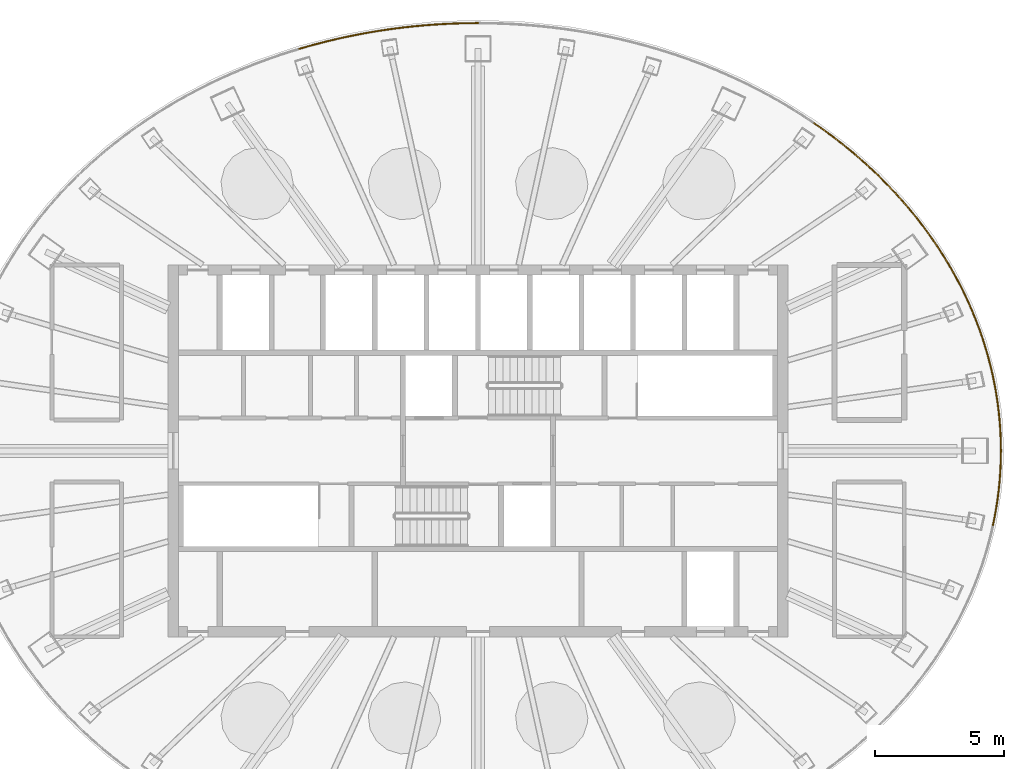
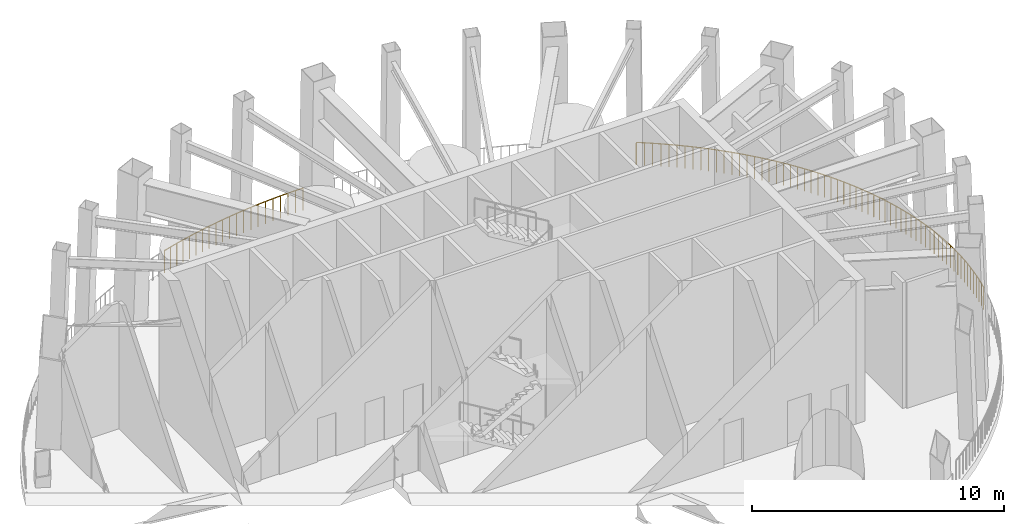
# One storey, part 10 of 12: 8 railings.
"""IFC4 building model written with IfcOpenShell, lengths in metres."""

from ifc_helpers import new_model, si_unit, direction, frame, origin, origin_2d, place, context, subcontext, project, spatial, circle, extrude, material, type_object, element, save


model = new_model("IFC4")

# Units and contexts
model_context = context("Model", 3, precision=1e-05, world=origin(), true_north=direction((0.0, 1.0)))
body_context = subcontext(model_context, "Body", "Model", "MODEL_VIEW")
ifc_project = project(units=[si_unit("LENGTHUNIT", "METRE"), si_unit("AREAUNIT", "SQUARE_METRE"), si_unit("VOLUMEUNIT", "CUBIC_METRE"), si_unit("PLANEANGLEUNIT", "RADIAN"), si_unit("MASSUNIT", "GRAM", prefix="KILO")], contexts=[model_context])

# Site, building, storey
site_placement = place(None, origin())
site = spatial("IfcSite", under=ifc_project, at=site_placement, CompositionType="ELEMENT")
building_placement = place(site_placement, origin())
building = spatial("IfcBuilding", under=site, at=building_placement, Name="Siaravel Broadcast Tower", CompositionType="ELEMENT")
storey_placement = place(building_placement, frame((0.0, 0.0, 265.199951171875)))
storey = spatial("IfcBuildingStorey", under=building, at=storey_placement, Name="L65", CompositionType="ELEMENT", Elevation=265.199951171875)

# Railings
ifc_material = material(Name="Steel S355", Category="steel")
railing_type = type_object("IfcRailingType", Name="Guard 1100", PredefinedType="GUARDRAIL", material=ifc_material)
railing_1_placement = place(storey_placement, frame((20.243408203125, 0.0, 0.0)))
element("IfcRailing", 1, at=railing_1_placement, inside=storey, type_object=railing_type, Name="L65 turbine slot guard 01", PredefinedType="GUARDRAIL", context=body_context, shape_type="SweptSolid", body=[
    extrude(circle(Radius=0.02392578125, at=origin_2d()), frame((0.0, 0.0, 1.076171875), z_axis=(-0.010134615, 0.999948643, 0.0), x_axis=(-0.999948643, -0.010134615, 0.0)), (0.0, 0.0, 1.0), 0.2890625),
    extrude(circle(Radius=0.02392578125, at=origin_2d()), frame((-0.0029296875, 0.2890625, 1.076171875), z_axis=(-0.032105166, 0.999484496, 0.0), x_axis=(-0.999484496, -0.032105166, 0.0)), (0.0, 0.0, 1.0), 0.2890625),
    extrude(circle(Radius=0.02392578125, at=origin_2d()), frame((-0.01220703125, 0.577880859375, 1.076171875), z_axis=(-0.053179082, 0.998584991, 0.0), x_axis=(-0.998584991, -0.053179082, 0.0)), (0.0, 0.0, 1.0), 0.289306640625),
    extrude(circle(Radius=0.02392578125, at=origin_2d()), frame((-0.027587890625, 0.86669921875, 1.076171875), z_axis=(-0.075083566, 0.997177245, 0.0), x_axis=(-0.997177245, -0.075083566, 0.0)), (0.0, 0.0, 1.0), 0.289306640625),
    extrude(circle(Radius=0.02392578125, at=origin_2d()), frame((-0.04931640625, 1.1552734375, 1.076171875), z_axis=(-0.095326613, 0.995446049, 0.0), x_axis=(-0.995446049, -0.095326613, 0.0)), (0.0, 0.0, 1.0), 0.289306640625),
    extrude(circle(Radius=0.02392578125, at=origin_2d()), frame((-0.076904296875, 1.443359375, 1.076171875), z_axis=(-0.117183639, 0.993110263, 0.0), x_axis=(-0.993110263, -0.117183639, 0.0)), (0.0, 0.0, 1.0), 0.28955078125),
    extrude(circle(Radius=0.02392578125, at=origin_2d()), frame((-0.11083984375, 1.73095703125, 1.076171875), z_axis=(-0.138004072, 0.990431662, 0.0), x_axis=(-0.990431662, -0.138004072, 0.0)), (0.0, 0.0, 1.0), 0.2900390625),
    extrude(circle(Radius=0.02392578125, at=origin_2d()), frame((-0.15087890625, 2.018310546875, 1.076171875), z_axis=(-0.159073665, 0.987266716, 0.0), x_axis=(-0.987266716, -0.159073665, 0.0)), (0.0, 0.0, 1.0), 0.2900390625),
    extrude(circle(Radius=0.02392578125, at=origin_2d()), frame((-0.197021484375, 2.3046875, 1.076171875), z_axis=(-0.178959374, 0.983856464, 0.0), x_axis=(-0.983856464, -0.178959374, 0.0)), (0.0, 0.0, 1.0), 0.29052734375),
    extrude(circle(Radius=0.02392578125, at=origin_2d()), frame((-0.2490234375, 2.590576171875, 1.076171875), z_axis=(-0.200634296, 0.979666208, 0.0), x_axis=(-0.979666208, -0.200634296, 0.0)), (0.0, 0.0, 1.0), 0.290771484375),
    extrude(circle(Radius=0.02099609375, at=origin_2d()), origin(), (0.0, 0.0, 1.0), 1.052001953125),
    extrude(circle(Radius=0.02099609375, at=origin_2d()), frame((-0.0029296875, 0.2890625, 0.0)), (0.0, 0.0, 1.0), 1.052001953125),
    extrude(circle(Radius=0.02099609375, at=origin_2d()), frame((-0.01220703125, 0.577880859375, 0.0)), (0.0, 0.0, 1.0), 1.052001953125),
    extrude(circle(Radius=0.02099609375, at=origin_2d()), frame((-0.027587890625, 0.86669921875, 0.0)), (0.0, 0.0, 1.0), 1.052001953125),
    extrude(circle(Radius=0.02099609375, at=origin_2d()), frame((-0.04931640625, 1.1552734375, 0.0)), (0.0, 0.0, 1.0), 1.052001953125),
    extrude(circle(Radius=0.02099609375, at=origin_2d()), frame((-0.076904296875, 1.443359375, 0.0)), (0.0, 0.0, 1.0), 1.052001953125),
    extrude(circle(Radius=0.02099609375, at=origin_2d()), frame((-0.11083984375, 1.73095703125, 0.0)), (0.0, 0.0, 1.0), 1.052001953125),
    extrude(circle(Radius=0.02099609375, at=origin_2d()), frame((-0.15087890625, 2.018310546875, 0.0)), (0.0, 0.0, 1.0), 1.052001953125),
    extrude(circle(Radius=0.02099609375, at=origin_2d()), frame((-0.197021484375, 2.3046875, 0.0)), (0.0, 0.0, 1.0), 1.052001953125),
    extrude(circle(Radius=0.02099609375, at=origin_2d()), frame((-0.2490234375, 2.590576171875, 0.0)), (0.0, 0.0, 1.0), 1.052001953125),
    extrude(circle(Radius=0.02099609375, at=origin_2d()), frame((-0.307373046875, 2.87548828125, 0.0)), (0.0, 0.0, 1.0), 1.052001953125),
])
railing_2_placement = place(storey_placement, frame((19.93603515625, 2.87548828125, 0.0)))
element("IfcRailing", 2, at=railing_2_placement, inside=storey, type_object=railing_type, Name="L65 turbine slot guard 02", PredefinedType="GUARDRAIL", context=body_context, shape_type="SweptSolid", body=[
    extrude(circle(Radius=0.02392578125, at=origin_2d()), frame((0.0, 0.0, 1.076171875), z_axis=(-0.221005948, 0.97527246, 0.0), x_axis=(-0.97527246, -0.221005948, 0.0)), (0.0, 0.0, 1.0), 0.291748046875),
    extrude(circle(Radius=0.02392578125, at=origin_2d()), frame((-0.064453125, 0.284423828125, 1.076171875), z_axis=(-0.241748252, 0.970339004, 0.0), x_axis=(-0.970339004, -0.241748252, 0.0)), (0.0, 0.0, 1.0), 0.291748046875),
    extrude(circle(Radius=0.02392578125, at=origin_2d()), frame((-0.135009765625, 0.567626953125, 1.076171875), z_axis=(-0.261561451, 0.965186825, 0.0), x_axis=(-0.965186825, -0.261561451, 0.0)), (0.0, 0.0, 1.0), 0.292236328125),
    extrude(circle(Radius=0.02392578125, at=origin_2d()), frame((-0.21142578125, 0.849609375, 1.076171875), z_axis=(-0.281760113, 0.959484882, 0.0), x_axis=(-0.959484882, -0.281760113, 0.0)), (0.0, 0.0, 1.0), 0.29296875),
    extrude(circle(Radius=0.02392578125, at=origin_2d()), frame((-0.2939453125, 1.130615234375, 1.076171875), z_axis=(-0.301211011, 0.953557511, 0.0), x_axis=(-0.953557511, -0.301211011, 0.0)), (0.0, 0.0, 1.0), 0.29345703125),
    extrude(circle(Radius=0.02392578125, at=origin_2d()), frame((-0.38232421875, 1.410400390625, 1.076171875), z_axis=(-0.320951026, 0.947095792, 0.0), x_axis=(-0.947095792, -0.320951026, 0.0)), (0.0, 0.0, 1.0), 0.29443359375),
    extrude(circle(Radius=0.02392578125, at=origin_2d()), frame((-0.476806640625, 1.689208984375, 1.076171875), z_axis=(-0.340478966, 0.940252133, 0.0), x_axis=(-0.940252133, -0.340478966, 0.0)), (0.0, 0.0, 1.0), 0.294677734375),
    extrude(circle(Radius=0.02392578125, at=origin_2d()), frame((-0.5771484375, 1.96630859375, 1.076171875), z_axis=(-0.359810351, 0.933025461, 0.0), x_axis=(-0.933025461, -0.359810351, 0.0)), (0.0, 0.0, 1.0), 0.295166015625),
    extrude(circle(Radius=0.02392578125, at=origin_2d()), frame((-0.683349609375, 2.24169921875, 1.076171875), z_axis=(-0.378343965, 0.925665082, 0.0), x_axis=(-0.925665082, -0.378343965, 0.0)), (0.0, 0.0, 1.0), 0.296142578125),
    extrude(circle(Radius=0.02392578125, at=origin_2d()), frame((-0.79541015625, 2.515869140625, 1.076171875), z_axis=(-0.397191994, 0.917735539, 0.0), x_axis=(-0.917735539, -0.397191994, 0.0)), (0.0, 0.0, 1.0), 0.296875),
    extrude(circle(Radius=0.02099609375, at=origin_2d()), origin(), (0.0, 0.0, 1.0), 1.052001953125),
    extrude(circle(Radius=0.02099609375, at=origin_2d()), frame((-0.064453125, 0.284423828125, 0.0)), (0.0, 0.0, 1.0), 1.052001953125),
    extrude(circle(Radius=0.02099609375, at=origin_2d()), frame((-0.135009765625, 0.567626953125, 0.0)), (0.0, 0.0, 1.0), 1.052001953125),
    extrude(circle(Radius=0.02099609375, at=origin_2d()), frame((-0.21142578125, 0.849609375, 0.0)), (0.0, 0.0, 1.0), 1.052001953125),
    extrude(circle(Radius=0.02099609375, at=origin_2d()), frame((-0.2939453125, 1.130615234375, 0.0)), (0.0, 0.0, 1.0), 1.052001953125),
    extrude(circle(Radius=0.02099609375, at=origin_2d()), frame((-0.38232421875, 1.410400390625, 0.0)), (0.0, 0.0, 1.0), 1.052001953125),
    extrude(circle(Radius=0.02099609375, at=origin_2d()), frame((-0.476806640625, 1.689208984375, 0.0)), (0.0, 0.0, 1.0), 1.052001953125),
    extrude(circle(Radius=0.02099609375, at=origin_2d()), frame((-0.5771484375, 1.96630859375, 0.0)), (0.0, 0.0, 1.0), 1.052001953125),
    extrude(circle(Radius=0.02099609375, at=origin_2d()), frame((-0.683349609375, 2.24169921875, 0.0)), (0.0, 0.0, 1.0), 1.052001953125),
    extrude(circle(Radius=0.02099609375, at=origin_2d()), frame((-0.79541015625, 2.515869140625, 0.0)), (0.0, 0.0, 1.0), 1.052001953125),
    extrude(circle(Radius=0.02099609375, at=origin_2d()), frame((-0.913330078125, 2.788330078125, 0.0)), (0.0, 0.0, 1.0), 1.052001953125),
])
railing_3_placement = place(storey_placement, frame((19.022705078125, 5.663818359375, 0.0)))
element("IfcRailing", 3, at=railing_3_placement, inside=storey, type_object=railing_type, Name="L65 turbine slot guard 03", PredefinedType="GUARDRAIL", context=body_context, shape_type="SweptSolid", body=[
    extrude(circle(Radius=0.02392578125, at=origin_2d()), frame((0.0, 0.0, 1.076171875), z_axis=(-0.415779141, 0.909465616, 0.0), x_axis=(-0.909465616, -0.415779141, 0.0)), (0.0, 0.0, 1.0), 0.297607421875),
    extrude(circle(Radius=0.02392578125, at=origin_2d()), frame((-0.123779296875, 0.270751953125, 1.076171875), z_axis=(-0.434085971, 0.90087145, 0.0), x_axis=(-0.90087145, -0.434085971, 0.0)), (0.0, 0.0, 1.0), 0.298583984375),
    extrude(circle(Radius=0.02392578125, at=origin_2d()), frame((-0.25341796875, 0.539794921875, 1.076171875), z_axis=(-0.451453693, 0.89229455, 0.0), x_axis=(-0.89229455, -0.451453693, 0.0)), (0.0, 0.0, 1.0), 0.299072265625),
    extrude(circle(Radius=0.02392578125, at=origin_2d()), frame((-0.388427734375, 0.806640625, 1.076171875), z_axis=(-0.469194862, 0.883094662, 0.0), x_axis=(-0.883094662, -0.469194862, 0.0)), (0.0, 0.0, 1.0), 0.30029296875),
    extrude(circle(Radius=0.02392578125, at=origin_2d()), frame((-0.529296875, 1.07177734375, 1.076171875), z_axis=(-0.487294272, 0.873237821, 0.0), x_axis=(-0.873237821, -0.487294272, 0.0)), (0.0, 0.0, 1.0), 0.301025390625),
    extrude(circle(Radius=0.02392578125, at=origin_2d()), frame((-0.676025390625, 1.334716796875, 1.076171875), z_axis=(-0.503519221, 0.863984024, 0.0), x_axis=(-0.863984024, -0.503519221, 0.0)), (0.0, 0.0, 1.0), 0.302001953125),
    extrude(circle(Radius=0.02392578125, at=origin_2d()), frame((-0.828125, 1.595703125, 1.076171875), z_axis=(-0.520177191, 0.854058365, 0.0), x_axis=(-0.854058365, -0.520177191, 0.0)), (0.0, 0.0, 1.0), 0.302734375),
    extrude(circle(Radius=0.02392578125, at=origin_2d()), frame((-0.985595703125, 1.854248046875, 1.076171875), z_axis=(-0.537343158, 0.8433637, 0.0), x_axis=(-0.8433637, -0.537343158, 0.0)), (0.0, 0.0, 1.0), 0.303955078125),
    extrude(circle(Radius=0.02392578125, at=origin_2d()), frame((-1.14892578125, 2.110595703125, 1.076171875), z_axis=(-0.552849831, 0.833280904, 0.0), x_axis=(-0.833280904, -0.552849831, 0.0)), (0.0, 0.0, 1.0), 0.3046875),
    extrude(circle(Radius=0.02392578125, at=origin_2d()), frame((-1.3173828125, 2.364501953125, 1.076171875), z_axis=(-0.568255054, 0.822852473, 0.0), x_axis=(-0.822852473, -0.568255054, 0.0)), (0.0, 0.0, 1.0), 0.305908203125),
    extrude(circle(Radius=0.02099609375, at=origin_2d()), origin(), (0.0, 0.0, 1.0), 1.052001953125),
    extrude(circle(Radius=0.02099609375, at=origin_2d()), frame((-0.123779296875, 0.270751953125, 0.0)), (0.0, 0.0, 1.0), 1.052001953125),
    extrude(circle(Radius=0.02099609375, at=origin_2d()), frame((-0.25341796875, 0.539794921875, 0.0)), (0.0, 0.0, 1.0), 1.052001953125),
    extrude(circle(Radius=0.02099609375, at=origin_2d()), frame((-0.388427734375, 0.806640625, 0.0)), (0.0, 0.0, 1.0), 1.052001953125),
    extrude(circle(Radius=0.02099609375, at=origin_2d()), frame((-0.529296875, 1.07177734375, 0.0)), (0.0, 0.0, 1.0), 1.052001953125),
    extrude(circle(Radius=0.02099609375, at=origin_2d()), frame((-0.676025390625, 1.334716796875, 0.0)), (0.0, 0.0, 1.0), 1.052001953125),
    extrude(circle(Radius=0.02099609375, at=origin_2d()), frame((-0.828125, 1.595703125, 0.0)), (0.0, 0.0, 1.0), 1.052001953125),
    extrude(circle(Radius=0.02099609375, at=origin_2d()), frame((-0.985595703125, 1.854248046875, 0.0)), (0.0, 0.0, 1.0), 1.052001953125),
    extrude(circle(Radius=0.02099609375, at=origin_2d()), frame((-1.14892578125, 2.110595703125, 0.0)), (0.0, 0.0, 1.0), 1.052001953125),
    extrude(circle(Radius=0.02099609375, at=origin_2d()), frame((-1.3173828125, 2.364501953125, 0.0)), (0.0, 0.0, 1.0), 1.052001953125),
    extrude(circle(Radius=0.02099609375, at=origin_2d()), frame((-1.4912109375, 2.6162109375, 0.0)), (0.0, 0.0, 1.0), 1.052001953125),
])
railing_4_placement = place(storey_placement, frame((17.531494140625, 8.280029296875, 0.0)))
element("IfcRailing", 4, at=railing_4_placement, inside=storey, type_object=railing_type, Name="L65 turbine slot guard 04", PredefinedType="GUARDRAIL", context=body_context, shape_type="SweptSolid", body=[
    extrude(circle(Radius=0.02392578125, at=origin_2d()), frame((0.0, 0.0, 1.076171875), z_axis=(-0.584618987, 0.811307981, 0.0), x_axis=(-0.811307981, -0.584618987, 0.0)), (0.0, 0.0, 1.0), 0.306884765625),
    extrude(circle(Radius=0.02392578125, at=origin_2d()), frame((-0.179443359375, 0.2490234375, 1.076171875), z_axis=(-0.599619221, 0.800285442, 0.0), x_axis=(-0.800285442, -0.599619221, 0.0)), (0.0, 0.0, 1.0), 0.307861328125),
    extrude(circle(Radius=0.02392578125, at=origin_2d()), frame((-0.364013671875, 0.495361328125, 1.076171875), z_axis=(-0.614432575, 0.788969335, 0.0), x_axis=(-0.788969335, -0.614432575, 0.0)), (0.0, 0.0, 1.0), 0.30908203125),
    extrude(circle(Radius=0.02392578125, at=origin_2d()), frame((-0.553955078125, 0.7392578125, 1.076171875), z_axis=(-0.628722149, 0.777630027, 0.0), x_axis=(-0.777630027, -0.628722149, 0.0)), (0.0, 0.0, 1.0), 0.309814453125),
    extrude(circle(Radius=0.02392578125, at=origin_2d()), frame((-0.748779296875, 0.980224609375, 1.076171875), z_axis=(-0.643652185, 0.765318146, 0.0), x_axis=(-0.765318146, -0.643652185, 0.0)), (0.0, 0.0, 1.0), 0.31103515625),
    extrude(circle(Radius=0.02392578125, at=origin_2d()), frame((-0.948974609375, 1.21826171875, 1.076171875), z_axis=(-0.657397085, 0.75354434, 0.0), x_axis=(-0.75354434, -0.657397085, 0.0)), (0.0, 0.0, 1.0), 0.312255859375),
    extrude(circle(Radius=0.02392578125, at=origin_2d()), frame((-1.154296875, 1.45361328125, 1.076171875), z_axis=(-0.670341645, 0.742052612, 0.0), x_axis=(-0.742052612, -0.670341645, 0.0)), (0.0, 0.0, 1.0), 0.313232421875),
    extrude(circle(Radius=0.02392578125, at=origin_2d()), frame((-1.3642578125, 1.68603515625, 1.076171875), z_axis=(-0.684225255, 0.729270732, 0.0), x_axis=(-0.729270732, -0.684225255, 0.0)), (0.0, 0.0, 1.0), 0.314453125),
    extrude(circle(Radius=0.02392578125, at=origin_2d()), frame((-1.579345703125, 1.915283203125, 1.076171875), z_axis=(-0.697365706, 0.716715475, 0.0), x_axis=(-0.716715475, -0.697365706, 0.0)), (0.0, 0.0, 1.0), 0.3154296875),
    extrude(circle(Radius=0.02392578125, at=origin_2d()), frame((-1.79931640625, 2.141357421875, 1.076171875), z_axis=(-0.709799027, 0.704404246, 0.0), x_axis=(-0.704404246, -0.709799027, 0.0)), (0.0, 0.0, 1.0), 0.31689453125),
    extrude(circle(Radius=0.02099609375, at=origin_2d()), origin(), (0.0, 0.0, 1.0), 1.052001953125),
    extrude(circle(Radius=0.02099609375, at=origin_2d()), frame((-0.179443359375, 0.2490234375, 0.0)), (0.0, 0.0, 1.0), 1.052001953125),
    extrude(circle(Radius=0.02099609375, at=origin_2d()), frame((-0.364013671875, 0.495361328125, 0.0)), (0.0, 0.0, 1.0), 1.052001953125),
    extrude(circle(Radius=0.02099609375, at=origin_2d()), frame((-0.553955078125, 0.7392578125, 0.0)), (0.0, 0.0, 1.0), 1.052001953125),
    extrude(circle(Radius=0.02099609375, at=origin_2d()), frame((-0.748779296875, 0.980224609375, 0.0)), (0.0, 0.0, 1.0), 1.052001953125),
    extrude(circle(Radius=0.02099609375, at=origin_2d()), frame((-0.948974609375, 1.21826171875, 0.0)), (0.0, 0.0, 1.0), 1.052001953125),
    extrude(circle(Radius=0.02099609375, at=origin_2d()), frame((-1.154296875, 1.45361328125, 0.0)), (0.0, 0.0, 1.0), 1.052001953125),
    extrude(circle(Radius=0.02099609375, at=origin_2d()), frame((-1.3642578125, 1.68603515625, 0.0)), (0.0, 0.0, 1.0), 1.052001953125),
    extrude(circle(Radius=0.02099609375, at=origin_2d()), frame((-1.579345703125, 1.915283203125, 0.0)), (0.0, 0.0, 1.0), 1.052001953125),
    extrude(circle(Radius=0.02099609375, at=origin_2d()), frame((-1.79931640625, 2.141357421875, 0.0)), (0.0, 0.0, 1.0), 1.052001953125),
    extrude(circle(Radius=0.02099609375, at=origin_2d()), frame((-2.024169921875, 2.364501953125, 0.0)), (0.0, 0.0, 1.0), 1.052001953125),
])
railing_5_placement = place(storey_placement, frame((15.50732421875, 10.64453125, 0.0)))
element("IfcRailing", 5, at=railing_5_placement, inside=storey, type_object=railing_type, Name="L65 turbine slot guard 05", PredefinedType="GUARDRAIL", context=body_context, shape_type="SweptSolid", body=[
    extrude(circle(Radius=0.02392578125, at=origin_2d()), frame((0.0, 0.0, 1.076171875), z_axis=(-0.721940194, 0.691955458, 0.0), x_axis=(-0.691955458, -0.721940194, 0.0)), (0.0, 0.0, 1.0), 0.317626953125),
    extrude(circle(Radius=0.02392578125, at=origin_2d()), frame((-0.229248046875, 0.2197265625, 1.076171875), z_axis=(-0.734128059, 0.679011041, 0.0), x_axis=(-0.679011041, -0.734128059, 0.0)), (0.0, 0.0, 1.0), 0.31884765625),
    extrude(circle(Radius=0.02392578125, at=origin_2d()), frame((-0.46337890625, 0.436279296875, 1.076171875), z_axis=(-0.746018863, 0.665924813, 0.0), x_axis=(-0.665924813, -0.746018863, 0.0)), (0.0, 0.0, 1.0), 0.320068359375),
    extrude(circle(Radius=0.02392578125, at=origin_2d()), frame((-0.7021484375, 0.6494140625, 1.076171875), z_axis=(-0.757643412, 0.652668722, 0.0), x_axis=(-0.652668722, -0.757643412, 0.0)), (0.0, 0.0, 1.0), 0.321044921875),
    extrude(circle(Radius=0.02392578125, at=origin_2d()), frame((-0.9453125, 0.85888671875, 1.076171875), z_axis=(-0.768531507, 0.639811944, 0.0), x_axis=(-0.639811944, -0.768531507, 0.0)), (0.0, 0.0, 1.0), 0.322509765625),
    extrude(circle(Radius=0.02392578125, at=origin_2d()), frame((-1.193115234375, 1.065185546875, 1.076171875), z_axis=(-0.779245516, 0.626718777, 0.0), x_axis=(-0.626718777, -0.779245516, 0.0)), (0.0, 0.0, 1.0), 0.3232421875),
    extrude(circle(Radius=0.02392578125, at=origin_2d()), frame((-1.445068359375, 1.267822265625, 1.076171875), z_axis=(-0.790323933, 0.61268922, 0.0), x_axis=(-0.61268922, -0.790323933, 0.0)), (0.0, 0.0, 1.0), 0.324462890625),
    extrude(circle(Radius=0.02392578125, at=origin_2d()), frame((-1.701416015625, 1.466552734375, 1.076171875), z_axis=(-0.800089973, 0.599880017, 0.0), x_axis=(-0.599880017, -0.800089973, 0.0)), (0.0, 0.0, 1.0), 0.32568359375),
    extrude(circle(Radius=0.02392578125, at=origin_2d()), frame((-1.9619140625, 1.661865234375, 1.076171875), z_axis=(-0.809672613, 0.586881811, 0.0), x_axis=(-0.586881811, -0.809672613, 0.0)), (0.0, 0.0, 1.0), 0.32666015625),
    extrude(circle(Radius=0.02392578125, at=origin_2d()), frame((-2.226318359375, 1.853515625, 1.076171875), z_axis=(-0.819826176, 0.57261247, 0.0), x_axis=(-0.57261247, -0.819826176, 0.0)), (0.0, 0.0, 1.0), 0.327880859375),
    extrude(circle(Radius=0.02099609375, at=origin_2d()), origin(), (0.0, 0.0, 1.0), 1.052001953125),
    extrude(circle(Radius=0.02099609375, at=origin_2d()), frame((-0.229248046875, 0.2197265625, 0.0)), (0.0, 0.0, 1.0), 1.052001953125),
    extrude(circle(Radius=0.02099609375, at=origin_2d()), frame((-0.46337890625, 0.436279296875, 0.0)), (0.0, 0.0, 1.0), 1.052001953125),
    extrude(circle(Radius=0.02099609375, at=origin_2d()), frame((-0.7021484375, 0.6494140625, 0.0)), (0.0, 0.0, 1.0), 1.052001953125),
    extrude(circle(Radius=0.02099609375, at=origin_2d()), frame((-0.9453125, 0.85888671875, 0.0)), (0.0, 0.0, 1.0), 1.052001953125),
    extrude(circle(Radius=0.02099609375, at=origin_2d()), frame((-1.193115234375, 1.065185546875, 0.0)), (0.0, 0.0, 1.0), 1.052001953125),
    extrude(circle(Radius=0.02099609375, at=origin_2d()), frame((-1.445068359375, 1.267822265625, 0.0)), (0.0, 0.0, 1.0), 1.052001953125),
    extrude(circle(Radius=0.02099609375, at=origin_2d()), frame((-1.701416015625, 1.466552734375, 0.0)), (0.0, 0.0, 1.0), 1.052001953125),
    extrude(circle(Radius=0.02099609375, at=origin_2d()), frame((-1.9619140625, 1.661865234375, 0.0)), (0.0, 0.0, 1.0), 1.052001953125),
    extrude(circle(Radius=0.02099609375, at=origin_2d()), frame((-2.226318359375, 1.853515625, 0.0)), (0.0, 0.0, 1.0), 1.052001953125),
    extrude(circle(Radius=0.02099609375, at=origin_2d()), frame((-2.4951171875, 2.041259765625, 0.0)), (0.0, 0.0, 1.0), 1.052001953125),
])
railing_6_placement = place(storey_placement, frame((0.0, 16.56005859375, 0.0)))
element("IfcRailing", 6, at=railing_6_placement, inside=storey, type_object=railing_type, Name="L65 turbine slot guard 10", PredefinedType="GUARDRAIL", context=body_context, shape_type="SweptSolid", body=[
    extrude(circle(Radius=0.02392578125, at=origin_2d()), frame((0.0, 0.0, 1.076171875), z_axis=(-0.999976121, -0.006910685, 0.0), x_axis=(0.006910685, -0.999976121, 0.0)), (0.0, 0.0, 1.0), 0.353271484375),
    extrude(circle(Radius=0.02392578125, at=origin_2d()), frame((-0.353271484375, -0.00244140625, 1.076171875), z_axis=(-0.999755559, -0.022109314, 0.0), x_axis=(0.022109314, -0.999755559, 0.0)), (0.0, 0.0, 1.0), 0.353271484375),
    extrude(circle(Radius=0.02392578125, at=origin_2d()), frame((-0.70654296875, -0.01025390625, 1.076171875), z_axis=(-0.999378603, -0.035247793, 0.0), x_axis=(0.035247793, -0.999378603, 0.0)), (0.0, 0.0, 1.0), 0.353271484375),
    extrude(circle(Radius=0.02392578125, at=origin_2d()), frame((-1.0595703125, -0.022705078125, 1.076171875), z_axis=(-0.998759229, -0.049799629, 0.0), x_axis=(0.049799629, -0.998759229, 0.0)), (0.0, 0.0, 1.0), 0.35302734375),
    extrude(circle(Radius=0.02392578125, at=origin_2d()), frame((-1.412109375, -0.040283203125, 1.076171875), z_axis=(-0.997929607, -0.06431563, 0.0), x_axis=(0.06431563, -0.997929607, 0.0)), (0.0, 0.0, 1.0), 0.35302734375),
    extrude(circle(Radius=0.02392578125, at=origin_2d()), frame((-1.764404296875, -0.06298828125, 1.076171875), z_axis=(-0.996880973, -0.078919744, 0.0), x_axis=(0.078919744, -0.996880973, 0.0)), (0.0, 0.0, 1.0), 0.352783203125),
    extrude(circle(Radius=0.02392578125, at=origin_2d()), frame((-2.115966796875, -0.0908203125, 1.076171875), z_axis=(-0.995686353, -0.092783012, 0.0), x_axis=(0.092783012, -0.995686353, 0.0)), (0.0, 0.0, 1.0), 0.3525390625),
    extrude(circle(Radius=0.02392578125, at=origin_2d()), frame((-2.467041015625, -0.12353515625, 1.076171875), z_axis=(-0.994217048, -0.107389298, 0.0), x_axis=(0.107389298, -0.994217048, 0.0)), (0.0, 0.0, 1.0), 0.352294921875),
    extrude(circle(Radius=0.02392578125, at=origin_2d()), frame((-2.8173828125, -0.161376953125, 1.076171875), z_axis=(-0.992688511, -0.120704263, 0.0), x_axis=(0.120704263, -0.992688511, 0.0)), (0.0, 0.0, 1.0), 0.35205078125),
    extrude(circle(Radius=0.02392578125, at=origin_2d()), frame((-3.166748046875, -0.203857421875, 1.076171875), z_axis=(-0.990698738, -0.136073548, 0.0), x_axis=(0.136073548, -0.990698738, 0.0)), (0.0, 0.0, 1.0), 0.3515625),
    extrude(circle(Radius=0.02099609375, at=origin_2d()), origin(), (0.0, 0.0, 1.0), 1.052001953125),
    extrude(circle(Radius=0.02099609375, at=origin_2d()), frame((-0.353271484375, -0.00244140625, 0.0)), (0.0, 0.0, 1.0), 1.052001953125),
    extrude(circle(Radius=0.02099609375, at=origin_2d()), frame((-0.70654296875, -0.01025390625, 0.0)), (0.0, 0.0, 1.0), 1.052001953125),
    extrude(circle(Radius=0.02099609375, at=origin_2d()), frame((-1.0595703125, -0.022705078125, 0.0)), (0.0, 0.0, 1.0), 1.052001953125),
    extrude(circle(Radius=0.02099609375, at=origin_2d()), frame((-1.412109375, -0.040283203125, 0.0)), (0.0, 0.0, 1.0), 1.052001953125),
    extrude(circle(Radius=0.02099609375, at=origin_2d()), frame((-1.764404296875, -0.06298828125, 0.0)), (0.0, 0.0, 1.0), 1.052001953125),
    extrude(circle(Radius=0.02099609375, at=origin_2d()), frame((-2.115966796875, -0.0908203125, 0.0)), (0.0, 0.0, 1.0), 1.052001953125),
    extrude(circle(Radius=0.02099609375, at=origin_2d()), frame((-2.467041015625, -0.12353515625, 0.0)), (0.0, 0.0, 1.0), 1.052001953125),
    extrude(circle(Radius=0.02099609375, at=origin_2d()), frame((-2.8173828125, -0.161376953125, 0.0)), (0.0, 0.0, 1.0), 1.052001953125),
    extrude(circle(Radius=0.02099609375, at=origin_2d()), frame((-3.166748046875, -0.203857421875, 0.0)), (0.0, 0.0, 1.0), 1.052001953125),
    extrude(circle(Radius=0.02099609375, at=origin_2d()), frame((-3.51513671875, -0.251708984375, 0.0)), (0.0, 0.0, 1.0), 1.052001953125),
])
railing_7_placement = place(storey_placement, frame((-3.51513671875, 16.308349609375, 0.0)))
element("IfcRailing", 7, at=railing_7_placement, inside=storey, type_object=railing_type, Name="L65 turbine slot guard 11", PredefinedType="GUARDRAIL", context=body_context, shape_type="SweptSolid", body=[
    extrude(circle(Radius=0.02392578125, at=origin_2d()), frame((0.0, 0.0, 1.076171875), z_axis=(-0.988674929, -0.150072934, 0.0), x_axis=(0.150072934, -0.988674929, 0.0)), (0.0, 0.0, 1.0), 0.351318359375),
    extrude(circle(Radius=0.02392578125, at=origin_2d()), frame((-0.347412109375, -0.052734375, 1.076171875), z_axis=(-0.986450231, -0.164060785, 0.0), x_axis=(0.164060785, -0.986450231, 0.0)), (0.0, 0.0, 1.0), 0.35107421875),
    extrude(circle(Radius=0.02392578125, at=origin_2d()), frame((-0.69384765625, -0.1103515625, 1.076171875), z_axis=(-0.983958985, -0.17839483, 0.0), x_axis=(0.17839483, -0.983958985, 0.0)), (0.0, 0.0, 1.0), 0.350341796875),
    extrude(circle(Radius=0.02392578125, at=origin_2d()), frame((-1.03857421875, -0.1728515625, 1.076171875), z_axis=(-0.981298254, -0.192493474, 0.0), x_axis=(0.192493474, -0.981298254, 0.0)), (0.0, 0.0, 1.0), 0.35009765625),
    extrude(circle(Radius=0.02392578125, at=origin_2d()), frame((-1.382080078125, -0.240234375, 1.076171875), z_axis=(-0.978289888, -0.207241153, 0.0), x_axis=(0.207241153, -0.978289888, 0.0)), (0.0, 0.0, 1.0), 0.349853515625),
    extrude(circle(Radius=0.02392578125, at=origin_2d()), frame((-1.724365234375, -0.312744140625, 1.076171875), z_axis=(-0.975256407, -0.221076775, 0.0), x_axis=(0.221076775, -0.975256407, 0.0)), (0.0, 0.0, 1.0), 0.348876953125),
    extrude(circle(Radius=0.02392578125, at=origin_2d()), frame((-2.064697265625, -0.389892578125, 1.076171875), z_axis=(-0.971927789, -0.23527935, 0.0), x_axis=(0.23527935, -0.971927789, 0.0)), (0.0, 0.0, 1.0), 0.3486328125),
    extrude(circle(Radius=0.02392578125, at=origin_2d()), frame((-2.403564453125, -0.471923828125, 1.076171875), z_axis=(-0.968299226, -0.249793134, 0.0), x_axis=(0.249793134, -0.968299226, 0.0)), (0.0, 0.0, 1.0), 0.347900390625),
    extrude(circle(Radius=0.02392578125, at=origin_2d()), frame((-2.740478515625, -0.558837890625, 1.076171875), z_axis=(-0.964438652, -0.264306803, 0.0), x_axis=(0.264306803, -0.964438652, 0.0)), (0.0, 0.0, 1.0), 0.347412109375),
    extrude(circle(Radius=0.02392578125, at=origin_2d()), frame((-3.075439453125, -0.650634765625, 1.076171875), z_axis=(-0.960534561, -0.278160668, 0.0), x_axis=(0.278160668, -0.960534561, 0.0)), (0.0, 0.0, 1.0), 0.3466796875),
    extrude(circle(Radius=0.02099609375, at=origin_2d()), origin(), (0.0, 0.0, 1.0), 1.052001953125),
    extrude(circle(Radius=0.02099609375, at=origin_2d()), frame((-0.347412109375, -0.052734375, 0.0)), (0.0, 0.0, 1.0), 1.052001953125),
    extrude(circle(Radius=0.02099609375, at=origin_2d()), frame((-0.69384765625, -0.1103515625, 0.0)), (0.0, 0.0, 1.0), 1.052001953125),
    extrude(circle(Radius=0.02099609375, at=origin_2d()), frame((-1.03857421875, -0.1728515625, 0.0)), (0.0, 0.0, 1.0), 1.052001953125),
    extrude(circle(Radius=0.02099609375, at=origin_2d()), frame((-1.382080078125, -0.240234375, 0.0)), (0.0, 0.0, 1.0), 1.052001953125),
    extrude(circle(Radius=0.02099609375, at=origin_2d()), frame((-1.724365234375, -0.312744140625, 0.0)), (0.0, 0.0, 1.0), 1.052001953125),
    extrude(circle(Radius=0.02099609375, at=origin_2d()), frame((-2.064697265625, -0.389892578125, 0.0)), (0.0, 0.0, 1.0), 1.052001953125),
    extrude(circle(Radius=0.02099609375, at=origin_2d()), frame((-2.403564453125, -0.471923828125, 0.0)), (0.0, 0.0, 1.0), 1.052001953125),
    extrude(circle(Radius=0.02099609375, at=origin_2d()), frame((-2.740478515625, -0.558837890625, 0.0)), (0.0, 0.0, 1.0), 1.052001953125),
    extrude(circle(Radius=0.02099609375, at=origin_2d()), frame((-3.075439453125, -0.650634765625, 0.0)), (0.0, 0.0, 1.0), 1.052001953125),
    extrude(circle(Radius=0.02099609375, at=origin_2d()), frame((-3.408447265625, -0.7470703125, 0.0)), (0.0, 0.0, 1.0), 1.052001953125),
])
railing_8_placement = place(storey_placement, frame((19.93603515625, -2.87548828125, 0.0)))
element("IfcRailing", 8, at=railing_8_placement, inside=storey, type_object=railing_type, Name="L65 turbine slot guard 36", PredefinedType="GUARDRAIL", context=body_context, shape_type="SweptSolid", body=[
    extrude(circle(Radius=0.02392578125, at=origin_2d()), frame((0.0, 0.0, 1.076171875), z_axis=(0.200634296, 0.979666208, 0.0), x_axis=(-0.979666208, 0.200634296, 0.0)), (0.0, 0.0, 1.0), 0.290771484375),
    extrude(circle(Radius=0.02392578125, at=origin_2d()), frame((0.058349609375, 0.284912109375, 1.076171875), z_axis=(0.178959374, 0.983856464, 0.0), x_axis=(-0.983856464, 0.178959374, 0.0)), (0.0, 0.0, 1.0), 0.29052734375),
    extrude(circle(Radius=0.02392578125, at=origin_2d()), frame((0.1103515625, 0.57080078125, 1.076171875), z_axis=(0.159073665, 0.987266716, 0.0), x_axis=(-0.987266716, 0.159073665, 0.0)), (0.0, 0.0, 1.0), 0.2900390625),
    extrude(circle(Radius=0.02392578125, at=origin_2d()), frame((0.156494140625, 0.857177734375, 1.076171875), z_axis=(0.138004072, 0.990431662, 0.0), x_axis=(-0.990431662, 0.138004072, 0.0)), (0.0, 0.0, 1.0), 0.2900390625),
    extrude(circle(Radius=0.02392578125, at=origin_2d()), frame((0.196533203125, 1.14453125, 1.076171875), z_axis=(0.117183639, 0.993110263, 0.0), x_axis=(-0.993110263, 0.117183639, 0.0)), (0.0, 0.0, 1.0), 0.28955078125),
    extrude(circle(Radius=0.02392578125, at=origin_2d()), frame((0.23046875, 1.43212890625, 1.076171875), z_axis=(0.095326613, 0.995446049, 0.0), x_axis=(-0.995446049, 0.095326613, 0.0)), (0.0, 0.0, 1.0), 0.289306640625),
    extrude(circle(Radius=0.02392578125, at=origin_2d()), frame((0.258056640625, 1.72021484375, 1.076171875), z_axis=(0.075083566, 0.997177245, 0.0), x_axis=(-0.997177245, 0.075083566, 0.0)), (0.0, 0.0, 1.0), 0.289306640625),
    extrude(circle(Radius=0.02392578125, at=origin_2d()), frame((0.27978515625, 2.0087890625, 1.076171875), z_axis=(0.053179082, 0.998584991, 0.0), x_axis=(-0.998584991, 0.053179082, 0.0)), (0.0, 0.0, 1.0), 0.289306640625),
    extrude(circle(Radius=0.02392578125, at=origin_2d()), frame((0.295166015625, 2.297607421875, 1.076171875), z_axis=(0.032105166, 0.999484496, 0.0), x_axis=(-0.999484496, 0.032105166, 0.0)), (0.0, 0.0, 1.0), 0.2890625),
    extrude(circle(Radius=0.02392578125, at=origin_2d()), frame((0.304443359375, 2.58642578125, 1.076171875), z_axis=(0.010134615, 0.999948643, 0.0), x_axis=(-0.999948643, 0.010134615, 0.0)), (0.0, 0.0, 1.0), 0.2890625),
    extrude(circle(Radius=0.02099609375, at=origin_2d()), origin(), (0.0, 0.0, 1.0), 1.052001953125),
    extrude(circle(Radius=0.02099609375, at=origin_2d()), frame((0.058349609375, 0.284912109375, 0.0)), (0.0, 0.0, 1.0), 1.052001953125),
    extrude(circle(Radius=0.02099609375, at=origin_2d()), frame((0.1103515625, 0.57080078125, 0.0)), (0.0, 0.0, 1.0), 1.052001953125),
    extrude(circle(Radius=0.02099609375, at=origin_2d()), frame((0.156494140625, 0.857177734375, 0.0)), (0.0, 0.0, 1.0), 1.052001953125),
    extrude(circle(Radius=0.02099609375, at=origin_2d()), frame((0.196533203125, 1.14453125, 0.0)), (0.0, 0.0, 1.0), 1.052001953125),
    extrude(circle(Radius=0.02099609375, at=origin_2d()), frame((0.23046875, 1.43212890625, 0.0)), (0.0, 0.0, 1.0), 1.052001953125),
    extrude(circle(Radius=0.02099609375, at=origin_2d()), frame((0.258056640625, 1.72021484375, 0.0)), (0.0, 0.0, 1.0), 1.052001953125),
    extrude(circle(Radius=0.02099609375, at=origin_2d()), frame((0.27978515625, 2.0087890625, 0.0)), (0.0, 0.0, 1.0), 1.052001953125),
    extrude(circle(Radius=0.02099609375, at=origin_2d()), frame((0.295166015625, 2.297607421875, 0.0)), (0.0, 0.0, 1.0), 1.052001953125),
    extrude(circle(Radius=0.02099609375, at=origin_2d()), frame((0.304443359375, 2.58642578125, 0.0)), (0.0, 0.0, 1.0), 1.052001953125),
    extrude(circle(Radius=0.02099609375, at=origin_2d()), frame((0.307373046875, 2.87548828125, 0.0)), (0.0, 0.0, 1.0), 1.052001953125),
])

save(model, "model.ifc")
